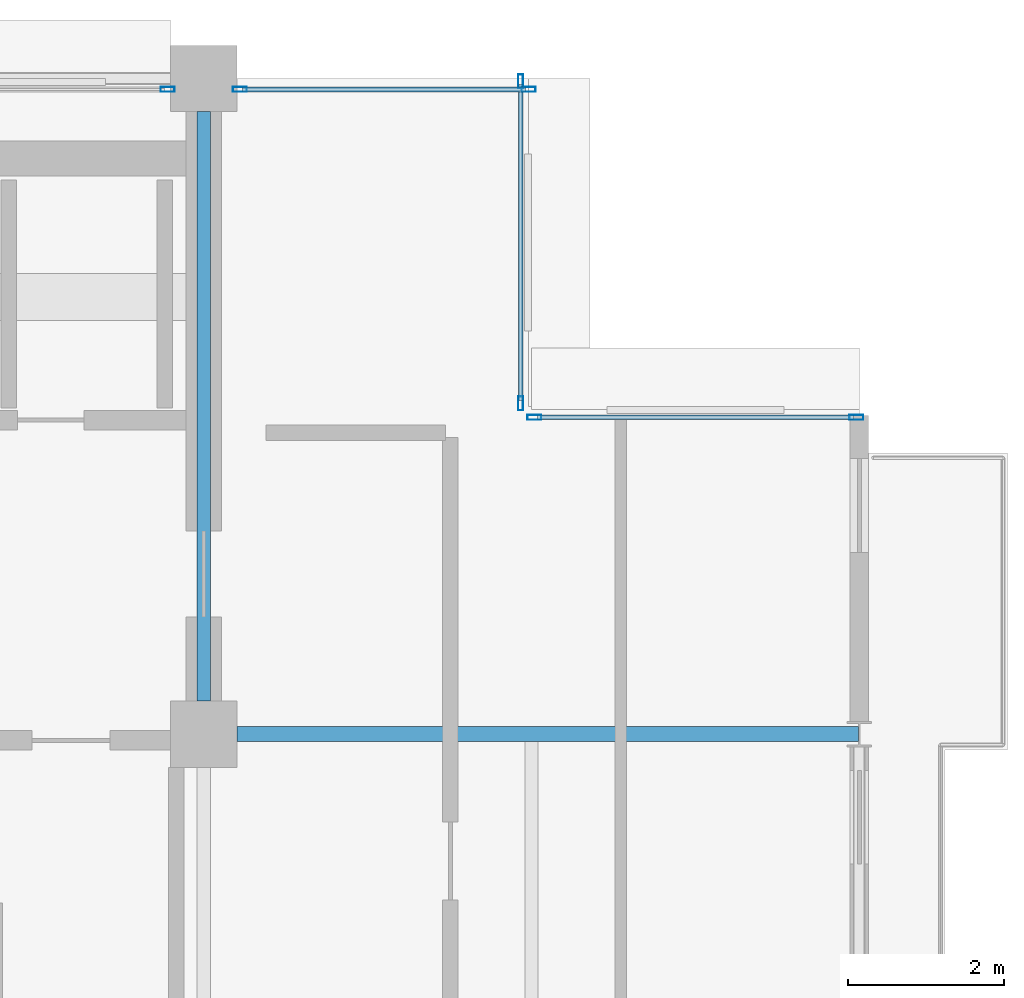
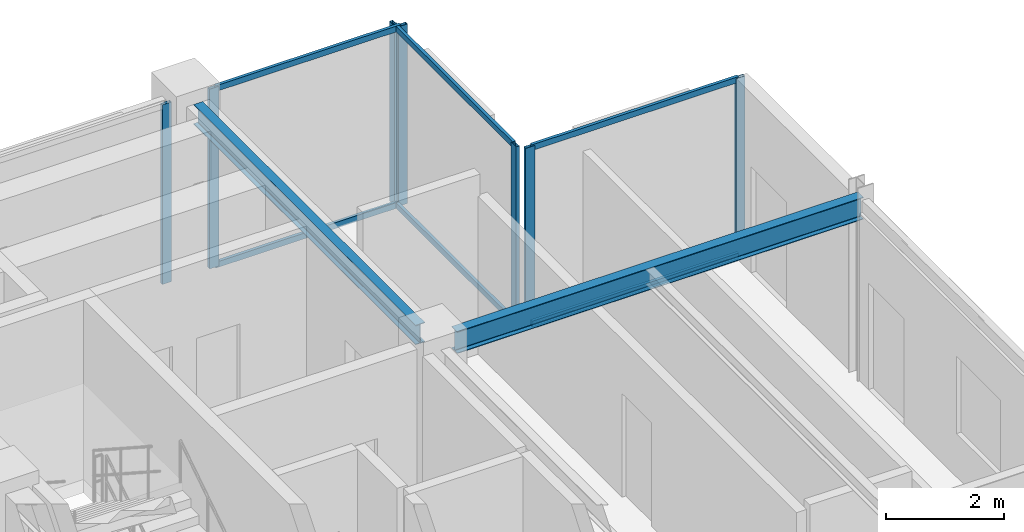
# One storey, part 18 of 25: 13 members, 2 beams, 4 elements without a shape of their own.
"""IFC4 building model written with IfcOpenShell, lengths in metres."""

from ifc_helpers import new_model, si_unit, direction, frame, origin, origin_2d, place, context, subcontext, project, spatial, hollow_rectangle, i_section, extrude, material, layer, layer_set, material_profile, profile_set, type_object, element, aggregate, save


model = new_model("IFC4")

# Units and contexts
model_context = context("Model", 3, precision=1e-05, world=origin(), true_north=direction((0.0, 1.0)))
body_context = subcontext(model_context, "Body", "Model", "MODEL_VIEW")
ifc_project = project(units=[si_unit("LENGTHUNIT", "METRE"), si_unit("AREAUNIT", "SQUARE_METRE"), si_unit("VOLUMEUNIT", "CUBIC_METRE"), si_unit("PLANEANGLEUNIT", "RADIAN"), si_unit("MASSUNIT", "GRAM", prefix="KILO")], contexts=[model_context])

# Site, building, storey
site_placement = place(None, origin())
site = spatial("IfcSite", under=ifc_project, at=site_placement, CompositionType="ELEMENT")
building_placement = place(site_placement, origin())
building = spatial("IfcBuilding", under=site, at=building_placement, Name="Nerrivon Quay Data Exchange", CompositionType="ELEMENT")
storey_placement = place(building_placement, frame((0.0, 0.0, 290.199951171875)))
storey = spatial("IfcBuildingStorey", under=building, at=storey_placement, Name="L69", CompositionType="ELEMENT", Elevation=290.199951171875)

# Beams
ifc_material_1 = material(Name="Steel Grade 350", Category="steel")
ifc_material_profile_1 = material_profile(ifc_material_1, i_section(OverallWidth=0.18994140625, OverallDepth=0.4541015625, WebThickness=0.008544921875, FlangeThickness=0.0126953125, FilletRadius=0.011474609375, at=origin_2d()), Name="460UB67.1")
ifc_profile_set_1 = profile_set([ifc_material_profile_1], Name="Steel Grade 350")
beam_type_1 = type_object("IfcBeamType", Name="BM-G6-460UB67", PredefinedType="BEAM", material=ifc_profile_set_1)
beam_1_placement = place(storey_placement, frame((17.22509765625, 33.60009765625, 3.498046875), z_axis=(1.0, 0.0, 0.0), x_axis=(0.0, 1.0, 0.0)))
element("IfcBeam", 1, at=beam_1_placement, inside=storey, type_object=beam_type_1, Name="L69 EW Girder Y=33.6 (16.8..25.2)", PredefinedType="BEAM", context=body_context, shape_type="SweptSolid", body=[
    extrude(i_section(OverallWidth=0.18994140625, OverallDepth=0.4541015625, WebThickness=0.008544921875, FlangeThickness=0.0126953125, FilletRadius=0.011474609375, at=origin_2d()), origin(), (0.0, 0.0, 1.0), 7.967041015625),
])
ifc_material_profile_2 = material_profile(ifc_material_1, i_section(OverallWidth=0.177978515625, OverallDepth=0.406005859375, WebThickness=0.0078125, FlangeThickness=0.0126953125, FilletRadius=0.011474609375, at=origin_2d()), Name="410UB59.7")
ifc_profile_set_2 = profile_set([ifc_material_profile_2], Name="Steel Grade 350")
beam_type_2 = type_object("IfcBeamType", Name="BM-J1-410UB60", PredefinedType="JOIST", material=ifc_profile_set_2)
beam_2_placement = place(storey_placement, frame((16.800048828125, 34.02490234375, 3.52197265625), z_axis=(0.0, 1.0, 0.0), x_axis=(-1.0, 0.0, 0.0)))
element("IfcBeam", 2, at=beam_2_placement, inside=storey, type_object=beam_type_2, Name="L69 NS Girder X=16.8 (33.6..42.0)", PredefinedType="JOIST", context=body_context, shape_type="SweptSolid", body=[
    extrude(i_section(OverallWidth=0.177978515625, OverallDepth=0.406005859375, WebThickness=0.0078125, FlangeThickness=0.0126953125, FilletRadius=0.011474609375, at=origin_2d()), origin(), (0.0, 0.0, 1.0), 7.550048828125),
])

# Curtain wall, member
ifc_material_2 = material(Name="Anodised aluminium 6063-T6", Category="aluminium")
ifc_layer = layer(ifc_material_2, 0.195068359375)
ifc_layer_set = layer_set([ifc_layer], Name="Anodised aluminium 6063-T6")
curtain_wall_type = type_object("IfcCurtainWallType", Name="CW-SYS-06", PredefinedType="NOTDEFINED", material=ifc_layer_set)
curtain_wall_1_placement = place(storey_placement, origin())
curtain_wall_1 = element("IfcCurtainWall", 3, at=curtain_wall_1_placement, inside=storey, type_object=curtain_wall_type, Name="L69 Unitised Curtain Wall 15", PredefinedType="NOTDEFINED")
ifc_material_profile_3 = material_profile(ifc_material_2, hollow_rectangle(XDim=0.06494140625, YDim=0.179931640625, WallThickness=0.00341796875, at=origin_2d()), Name="ALU-MULL-180x65")
ifc_profile_set_3 = profile_set([ifc_material_profile_3], Name="Anodised aluminium 6063-T6")
member_type_1 = type_object("IfcMemberType", Name="CWM-180x65", PredefinedType="MULLION", material=ifc_profile_set_3)
member_1_placement = place(storey_placement, frame((16.33740234375, 41.860107421875, 0.0), z_axis=(0.0, 0.0, 1.0), x_axis=(0.0, 1.0, 0.0)))
member_1 = element("IfcMember", 4, at=member_1_placement, type_object=member_type_1, Name="CW06 mullion 2", PredefinedType="MULLION", context=body_context, shape_type="SweptSolid", body=[
    extrude(hollow_rectangle(XDim=0.06494140625, YDim=0.179931640625, WallThickness=0.00341796875, at=origin_2d()), origin(), (0.0, 0.0, 1.0), 3.72509765625),
])
aggregate(curtain_wall_1, [member_1])

# Curtain wall, members
curtain_wall_2_placement = place(storey_placement, origin())
curtain_wall_2 = element("IfcCurtainWall", 5, at=curtain_wall_2_placement, inside=storey, type_object=curtain_wall_type, Name="L69 Unitised Curtain Wall 16", PredefinedType="NOTDEFINED")
member_2_placement = place(storey_placement, frame((17.262451171875, 41.860107421875, 0.0), z_axis=(0.0, 0.0, 1.0), x_axis=(0.0, 1.0, 0.0)))
member_2 = element("IfcMember", 6, at=member_2_placement, type_object=member_type_1, Name="CW06 mullion 1", PredefinedType="MULLION", context=body_context, shape_type="SweptSolid", body=[
    extrude(hollow_rectangle(XDim=0.06494140625, YDim=0.179931640625, WallThickness=0.00341796875, at=origin_2d()), origin(), (0.0, 0.0, 1.0), 3.72509765625),
])
member_3_placement = place(storey_placement, frame((20.96240234375, 41.860107421875, 0.0), z_axis=(0.0, 0.0, 1.0), x_axis=(0.0, 1.0, 0.0)))
member_3 = element("IfcMember", 7, at=member_3_placement, type_object=member_type_1, Name="CW06 mullion 2", PredefinedType="MULLION", context=body_context, shape_type="SweptSolid", body=[
    extrude(hollow_rectangle(XDim=0.06494140625, YDim=0.179931640625, WallThickness=0.00341796875, at=origin_2d()), origin(), (0.0, 0.0, 1.0), 3.72509765625),
])

curtain_wall_3_placement = place(storey_placement, origin())
curtain_wall_3 = element("IfcCurtainWall", 8, at=curtain_wall_3_placement, inside=storey, type_object=curtain_wall_type, Name="L69 Unitised Curtain Wall 17", PredefinedType="NOTDEFINED")
member_4_placement = place(storey_placement, frame((20.860107421875, 41.96240234375, 0.0), z_axis=(0.0, 0.0, 1.0), x_axis=(1.0, 0.0, 0.0)))
member_4 = element("IfcMember", 9, at=member_4_placement, type_object=member_type_1, Name="CW06 mullion 1", PredefinedType="MULLION", context=body_context, shape_type="SweptSolid", body=[
    extrude(hollow_rectangle(XDim=0.06494140625, YDim=0.179931640625, WallThickness=0.00341796875, at=origin_2d()), origin(), (0.0, 0.0, 1.0), 3.72509765625),
])
member_5_placement = place(storey_placement, frame((20.860107421875, 37.83740234375, 0.0), z_axis=(0.0, 0.0, 1.0), x_axis=(1.0, 0.0, 0.0)))
member_5 = element("IfcMember", 10, at=member_5_placement, type_object=member_type_1, Name="CW06 mullion 2", PredefinedType="MULLION", context=body_context, shape_type="SweptSolid", body=[
    extrude(hollow_rectangle(XDim=0.06494140625, YDim=0.179931640625, WallThickness=0.00341796875, at=origin_2d()), origin(), (0.0, 0.0, 1.0), 3.72509765625),
])

curtain_wall_4_placement = place(storey_placement, origin())
curtain_wall_4 = element("IfcCurtainWall", 11, at=curtain_wall_4_placement, inside=storey, type_object=curtain_wall_type, Name="L69 Unitised Curtain Wall 18", PredefinedType="NOTDEFINED")
member_6_placement = place(storey_placement, frame((21.03759765625, 37.659912109375, 0.0), z_axis=(0.0, 0.0, 1.0), x_axis=(0.0, 1.0, 0.0)))
member_6 = element("IfcMember", 12, at=member_6_placement, type_object=member_type_1, Name="CW06 mullion 1", PredefinedType="MULLION", context=body_context, shape_type="SweptSolid", body=[
    extrude(hollow_rectangle(XDim=0.06494140625, YDim=0.179931640625, WallThickness=0.00341796875, at=origin_2d()), origin(), (0.0, 0.0, 1.0), 3.72509765625),
])
member_7_placement = place(storey_placement, frame((25.16259765625, 37.659912109375, 0.0), z_axis=(0.0, 0.0, 1.0), x_axis=(0.0, 1.0, 0.0)))
member_7 = element("IfcMember", 13, at=member_7_placement, type_object=member_type_1, Name="CW06 mullion 2", PredefinedType="MULLION", context=body_context, shape_type="SweptSolid", body=[
    extrude(hollow_rectangle(XDim=0.06494140625, YDim=0.179931640625, WallThickness=0.00341796875, at=origin_2d()), origin(), (0.0, 0.0, 1.0), 3.72509765625),
])

# Member
ifc_material_profile_4 = material_profile(ifc_material_2, hollow_rectangle(XDim=0.06005859375, YDim=0.1201171875, WallThickness=0.003173828125, at=origin_2d()), Name="ALU-TRAN-120x60")
ifc_profile_set_4 = profile_set([ifc_material_profile_4], Name="Anodised aluminium 6063-T6")
member_type_2 = type_object("IfcMemberType", Name="CWT-120x60", PredefinedType="USERDEFINED", material=ifc_profile_set_4)
member_8_placement = place(storey_placement, frame((17.300048828125, 41.860107421875, 0.032470703125), z_axis=(1.0, 0.0, 0.0), x_axis=(0.0, 1.0, 0.0)))
member_8 = element("IfcMember", 14, at=member_8_placement, type_object=member_type_2, Name="CW06 transom 1.1", ObjectType="TRANSOM", PredefinedType="USERDEFINED", context=body_context, shape_type="SweptSolid", body=[
    extrude(hollow_rectangle(XDim=0.06005859375, YDim=0.1201171875, WallThickness=0.003173828125, at=origin_2d()), origin(), (0.0, 0.0, 1.0), 3.625),
])

member_9_placement = place(storey_placement, frame((17.300048828125, 41.860107421875, 3.692626953125), z_axis=(1.0, 0.0, 0.0), x_axis=(0.0, 1.0, 0.0)))
member_9 = element("IfcMember", 15, at=member_9_placement, type_object=member_type_2, Name="CW06 transom 1.2", ObjectType="TRANSOM", PredefinedType="USERDEFINED", context=body_context, shape_type="SweptSolid", body=[
    extrude(hollow_rectangle(XDim=0.06005859375, YDim=0.1201171875, WallThickness=0.003173828125, at=origin_2d()), origin(), (0.0, 0.0, 1.0), 3.625),
])

aggregate(curtain_wall_2, [member_2, member_3, member_8, member_9])

member_10_placement = place(storey_placement, frame((20.860107421875, 41.925048828125, 0.032470703125), z_axis=(0.0, -1.0, 0.0), x_axis=(1.0, 0.0, 0.0)))
member_10 = element("IfcMember", 16, at=member_10_placement, type_object=member_type_2, Name="CW06 transom 1.1", ObjectType="TRANSOM", PredefinedType="USERDEFINED", context=body_context, shape_type="SweptSolid", body=[
    extrude(hollow_rectangle(XDim=0.06005859375, YDim=0.1201171875, WallThickness=0.003173828125, at=origin_2d()), origin(), (0.0, 0.0, 1.0), 4.050048828125),
])

member_11_placement = place(storey_placement, frame((20.860107421875, 41.925048828125, 3.692626953125), z_axis=(0.0, -1.0, 0.0), x_axis=(1.0, 0.0, 0.0)))
member_11 = element("IfcMember", 17, at=member_11_placement, type_object=member_type_2, Name="CW06 transom 1.2", ObjectType="TRANSOM", PredefinedType="USERDEFINED", context=body_context, shape_type="SweptSolid", body=[
    extrude(hollow_rectangle(XDim=0.06005859375, YDim=0.1201171875, WallThickness=0.003173828125, at=origin_2d()), origin(), (0.0, 0.0, 1.0), 4.050048828125),
])

aggregate(curtain_wall_3, [member_4, member_5, member_10, member_11])

member_12_placement = place(storey_placement, frame((21.074951171875, 37.659912109375, 0.032470703125), z_axis=(1.0, 0.0, 0.0), x_axis=(0.0, 1.0, 0.0)))
member_12 = element("IfcMember", 18, at=member_12_placement, type_object=member_type_2, Name="CW06 transom 1.1", ObjectType="TRANSOM", PredefinedType="USERDEFINED", context=body_context, shape_type="SweptSolid", body=[
    extrude(hollow_rectangle(XDim=0.06005859375, YDim=0.1201171875, WallThickness=0.003173828125, at=origin_2d()), origin(), (0.0, 0.0, 1.0), 4.050048828125),
])

member_13_placement = place(storey_placement, frame((21.074951171875, 37.659912109375, 3.692626953125), z_axis=(1.0, 0.0, 0.0), x_axis=(0.0, 1.0, 0.0)))
member_13 = element("IfcMember", 19, at=member_13_placement, type_object=member_type_2, Name="CW06 transom 1.2", ObjectType="TRANSOM", PredefinedType="USERDEFINED", context=body_context, shape_type="SweptSolid", body=[
    extrude(hollow_rectangle(XDim=0.06005859375, YDim=0.1201171875, WallThickness=0.003173828125, at=origin_2d()), origin(), (0.0, 0.0, 1.0), 4.050048828125),
])

aggregate(curtain_wall_4, [member_6, member_7, member_12, member_13])

save(model, "model.ifc")
